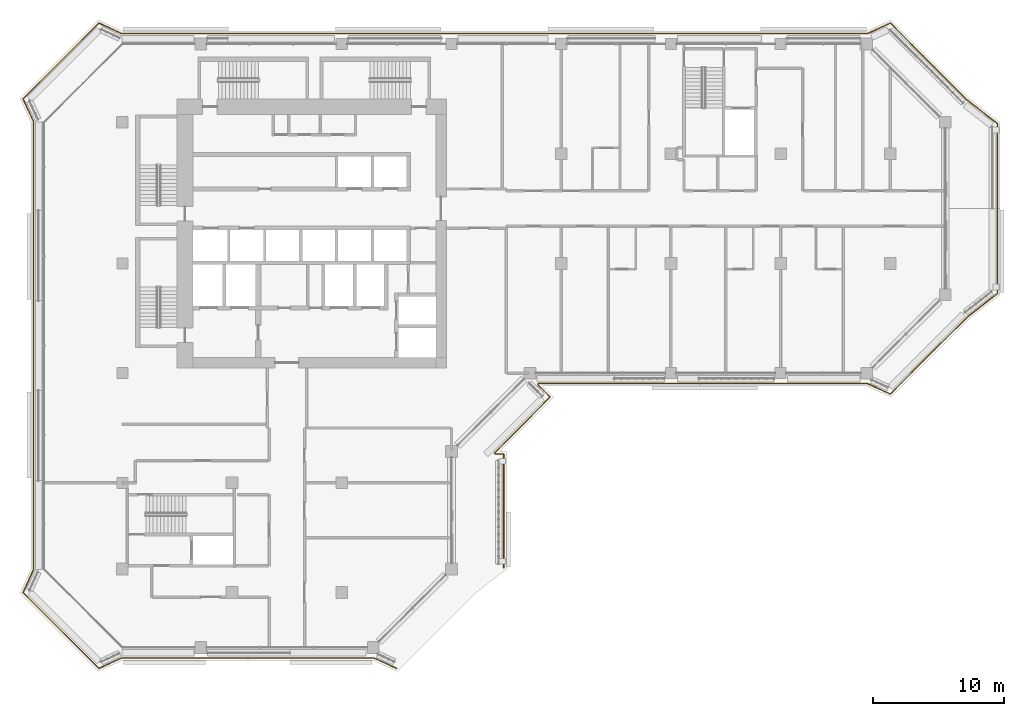
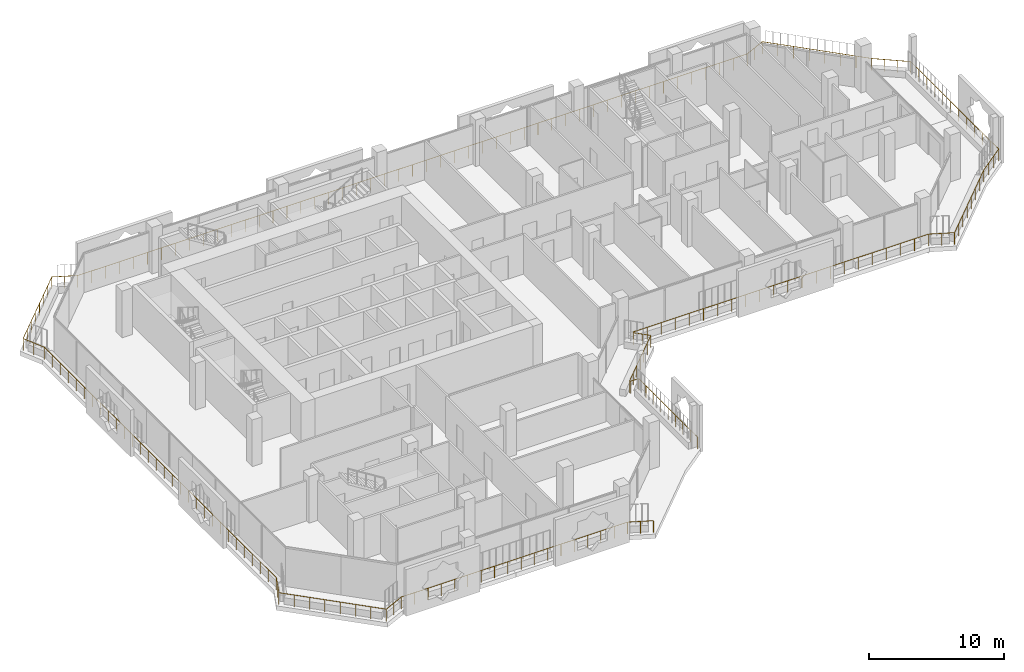
# One storey, part 17 of 21: 1 railing.
"""IFC4 building model written with IfcOpenShell, lengths in metres."""

from ifc_helpers import new_model, si_unit, direction, frame, origin, origin_2d, place, context, subcontext, project, spatial, circle, extrude, material, type_object, element, save


model = new_model("IFC4")

# Units and contexts
model_context = context("Model", 3, precision=1e-05, world=origin(), true_north=direction((0.0, 1.0)))
body_context = subcontext(model_context, "Body", "Model", "MODEL_VIEW")
ifc_project = project(units=[si_unit("LENGTHUNIT", "METRE"), si_unit("AREAUNIT", "SQUARE_METRE"), si_unit("VOLUMEUNIT", "CUBIC_METRE"), si_unit("PLANEANGLEUNIT", "RADIAN"), si_unit("MASSUNIT", "GRAM", prefix="KILO")], contexts=[model_context])

# Site, building, storey
site_placement = place(None, origin())
site = spatial("IfcSite", under=ifc_project, at=site_placement, CompositionType="ELEMENT")
building_placement = place(site_placement, origin())
building = spatial("IfcBuilding", under=site, at=building_placement, Name="Kawkab Arch Medical Tower", CompositionType="ELEMENT")
storey_placement = place(building_placement, frame((0.0, 0.0, 264.199951171875)))
storey = spatial("IfcBuildingStorey", under=building, at=storey_placement, Name="L61", CompositionType="ELEMENT", Elevation=264.199951171875)

# Railing
ifc_material = material(Name="Bronze anodised aluminium guard", Category="aluminium")
railing_type = type_object("IfcRailingType", Name="Loggia and terrace guard 1100", PredefinedType="GUARDRAIL", material=ifc_material)
railing_placement = place(storey_placement, frame((20.9951171875, -47.798095703125, 0.0)))
element("IfcRailing", 1, at=railing_placement, inside=storey, type_object=railing_type, Name="Guard L61.LOG-01.1.1", PredefinedType="GUARDRAIL", context=body_context, shape_type="SweptSolid", body=[
    extrude(circle(Radius=0.02392578125, at=origin_2d()), frame((0.0, 0.0, 1.076171875), z_axis=(-0.910044860056, 0.414509773934, 0.0), x_axis=(-0.414509773934, -0.910044860056, 0.0)), (0.0, 0.0, 1.0), 1.92529296875),
    extrude(circle(Radius=0.02392578125, at=origin_2d()), frame((-1.752197265625, 0.798095703125, 1.076171875), z_axis=(-1.0, 0.0, 0.0), x_axis=(0.0, -1.0, 0.0)), (0.0, 0.0, 1.0), 19.285888671875),
    extrude(circle(Radius=0.02392578125, at=origin_2d()), frame((-21.0380859375, 0.798095703125, 1.076171875), z_axis=(-0.910023069687, -0.414557610759, 0.0), x_axis=(0.414557610759, -0.910023069687, 0.0)), (0.0, 0.0, 1.0), 1.92529296875),
    extrude(circle(Radius=0.02392578125, at=origin_2d()), frame((-22.7900390625, 0.0, 1.076171875), z_axis=(-0.707106781187, 0.707106781187, 0.0), x_axis=(-0.707106781187, -0.707106781187, 0.0)), (0.0, 0.0, 1.0), 8.20654296875),
    extrude(circle(Radius=0.02392578125, at=origin_2d()), frame((-28.593017578125, 5.802978515625, 1.076171875), z_axis=(0.414404752076, 0.910092688388, 0.0), x_axis=(-0.910092688388, 0.414404752076, 0.0)), (0.0, 0.0, 1.0), 1.92529296875),
    extrude(circle(Radius=0.02392578125, at=origin_2d()), frame((-27.795166015625, 7.55517578125, 1.076171875), z_axis=(0.0, 1.0, 0.0), x_axis=(-1.0, 0.0, 0.0)), (0.0, 0.0, 1.0), 34.285888671875),
    extrude(circle(Radius=0.02392578125, at=origin_2d()), frame((-27.795166015625, 41.841064453125, 1.076171875), z_axis=(-0.414452581809, 0.910070907914, 0.0), x_axis=(-0.910070907914, -0.414452581809, 0.0)), (0.0, 0.0, 1.0), 1.925048828125),
    extrude(circle(Radius=0.02392578125, at=origin_2d()), frame((-28.593017578125, 43.593017578125, 1.076171875), z_axis=(0.707106781187, 0.707106781187, 0.0), x_axis=(-0.707106781187, 0.707106781187, 0.0)), (0.0, 0.0, 1.0), 8.20654296875),
    extrude(circle(Radius=0.02392578125, at=origin_2d()), frame((-22.7900390625, 49.39599609375, 1.076171875), z_axis=(0.910070907914, -0.414452581809, 0.0), x_axis=(0.414452581809, 0.910070907914, 0.0)), (0.0, 0.0, 1.0), 1.925048828125),
    extrude(circle(Radius=0.02392578125, at=origin_2d()), frame((-21.0380859375, 48.59814453125, 1.076171875), z_axis=(1.0, 0.0, 0.0), x_axis=(0.0, 1.0, 0.0)), (0.0, 0.0, 1.0), 57.0859375),
    extrude(circle(Radius=0.02392578125, at=origin_2d()), frame((36.0478515625, 48.59814453125, 1.076171875), z_axis=(0.910070907914, 0.414452581809, 0.0), x_axis=(-0.414452581809, 0.910070907914, 0.0)), (0.0, 0.0, 1.0), 1.925048828125),
    extrude(circle(Radius=0.02392578125, at=origin_2d()), frame((37.7998046875, 49.39599609375, 1.076171875), z_axis=(0.707121386154, -0.707092175918, 0.0), x_axis=(0.707092175918, 0.707121386154, 0.0)), (0.0, 0.0, 1.0), 8.358154296875),
    extrude(circle(Radius=0.02392578125, at=origin_2d()), frame((43.7099609375, 43.486083984375, 1.076171875), z_axis=(0.789193964876, -0.614144026922, 0.0), x_axis=(0.614144026922, 0.789193964876, 0.0)), (0.0, 0.0, 1.0), 2.907958984375),
    extrude(circle(Radius=0.02392578125, at=origin_2d()), frame((46.0048828125, 41.7001953125, 1.076171875), z_axis=(0.0, -1.0, 0.0), x_axis=(1.0, 0.0, 0.0)), (0.0, 0.0, 1.0), 13.004150390625),
    extrude(circle(Radius=0.02392578125, at=origin_2d()), frame((46.0048828125, 28.696044921875, 1.076171875), z_axis=(-0.789193964876, -0.614144026922, 0.0), x_axis=(0.614144026922, -0.789193964876, 0.0)), (0.0, 0.0, 1.0), 2.907958984375),
    extrude(circle(Radius=0.02392578125, at=origin_2d()), frame((43.7099609375, 26.91015625, 1.076171875), z_axis=(-0.707106781187, -0.707106781187, 0.0), x_axis=(0.707106781187, -0.707106781187, 0.0)), (0.0, 0.0, 1.0), 8.358154296875),
    extrude(circle(Radius=0.02392578125, at=origin_2d()), frame((37.7998046875, 21.0, 1.076171875), z_axis=(-0.910023069687, 0.414557610759, 0.0), x_axis=(-0.414557610759, -0.910023069687, 0.0)), (0.0, 0.0, 1.0), 1.92529296875),
    extrude(circle(Radius=0.02392578125, at=origin_2d()), frame((36.0478515625, 21.798095703125, 1.076171875), z_axis=(-1.0, 0.0, 0.0), x_axis=(0.0, -1.0, 0.0)), (0.0, 0.0, 1.0), 25.19287109375),
    extrude(circle(Radius=0.02392578125, at=origin_2d()), frame((10.85498046875, 21.798095703125, 1.076171875), z_axis=(-0.383763674343, -0.923431341387, 0.0), x_axis=(0.923431341387, -0.383763674343, 0.0)), (0.0, 0.0, 1.0), 0.101806640625),
    extrude(circle(Radius=0.02392578125, at=origin_2d()), frame((10.81591796875, 21.7041015625, 1.076171875), z_axis=(0.707015335112, -0.707198215437, 0.0), x_axis=(0.707198215437, 0.707015335112, 0.0)), (0.0, 0.0, 1.0), 1.3349609375),
    extrude(circle(Radius=0.02392578125, at=origin_2d()), frame((11.759765625, 20.760009765625, 1.076171875), z_axis=(-0.707025867263, -0.707187685852, 0.0), x_axis=(0.707187685852, -0.707025867263, 0.0)), (0.0, 0.0, 1.0), 6.034912109375),
    extrude(circle(Radius=0.02392578125, at=origin_2d()), frame((7.492919921875, 16.4921875, 1.076171875), z_axis=(0.383763674343, -0.923431341387, 0.0), x_axis=(0.923431341387, 0.383763674343, 0.0)), (0.0, 0.0, 1.0), 0.101806640625),
    extrude(circle(Radius=0.02392578125, at=origin_2d()), frame((7.531982421875, 16.398193359375, 1.076171875), z_axis=(1.0, 0.0, 0.0), x_axis=(0.0, 1.0, 0.0)), (0.0, 0.0, 1.0), 0.6728515625),
    extrude(circle(Radius=0.02392578125, at=origin_2d()), frame((8.204833984375, 16.398193359375, 1.076171875), z_axis=(0.0, -1.0, 0.0), x_axis=(1.0, 0.0, 0.0)), (0.0, 0.0, 1.0), 8.7021484375),
    extrude(circle(Radius=0.02099609375, at=origin_2d()), origin(), (0.0, 0.0, 1.0), 1.052001953125),
    extrude(circle(Radius=0.02099609375, at=origin_2d()), frame((-0.8759765625, 0.39892578125, 0.0)), (0.0, 0.0, 1.0), 1.052001953125),
    extrude(circle(Radius=0.02099609375, at=origin_2d()), frame((-1.752197265625, 0.798095703125, 0.0)), (0.0, 0.0, 1.0), 1.052001953125),
    extrude(circle(Radius=0.02099609375, at=origin_2d()), frame((-2.88671875, 0.798095703125, 0.0)), (0.0, 0.0, 1.0), 1.052001953125),
    extrude(circle(Radius=0.02099609375, at=origin_2d()), frame((-4.021240234375, 0.798095703125, 0.0)), (0.0, 0.0, 1.0), 1.052001953125),
    extrude(circle(Radius=0.02099609375, at=origin_2d()), frame((-5.155517578125, 0.798095703125, 0.0)), (0.0, 0.0, 1.0), 1.052001953125),
    extrude(circle(Radius=0.02099609375, at=origin_2d()), frame((-6.2900390625, 0.798095703125, 0.0)), (0.0, 0.0, 1.0), 1.052001953125),
    extrude(circle(Radius=0.02099609375, at=origin_2d()), frame((-7.424560546875, 0.798095703125, 0.0)), (0.0, 0.0, 1.0), 1.052001953125),
    extrude(circle(Radius=0.02099609375, at=origin_2d()), frame((-8.55908203125, 0.798095703125, 0.0)), (0.0, 0.0, 1.0), 1.052001953125),
    extrude(circle(Radius=0.02099609375, at=origin_2d()), frame((-9.693359375, 0.798095703125, 0.0)), (0.0, 0.0, 1.0), 1.052001953125),
    extrude(circle(Radius=0.02099609375, at=origin_2d()), frame((-10.827880859375, 0.798095703125, 0.0)), (0.0, 0.0, 1.0), 1.052001953125),
    extrude(circle(Radius=0.02099609375, at=origin_2d()), frame((-11.96240234375, 0.798095703125, 0.0)), (0.0, 0.0, 1.0), 1.052001953125),
    extrude(circle(Radius=0.02099609375, at=origin_2d()), frame((-13.096923828125, 0.798095703125, 0.0)), (0.0, 0.0, 1.0), 1.052001953125),
    extrude(circle(Radius=0.02099609375, at=origin_2d()), frame((-14.231201171875, 0.798095703125, 0.0)), (0.0, 0.0, 1.0), 1.052001953125),
    extrude(circle(Radius=0.02099609375, at=origin_2d()), frame((-15.36572265625, 0.798095703125, 0.0)), (0.0, 0.0, 1.0), 1.052001953125),
    extrude(circle(Radius=0.02099609375, at=origin_2d()), frame((-16.500244140625, 0.798095703125, 0.0)), (0.0, 0.0, 1.0), 1.052001953125),
    extrude(circle(Radius=0.02099609375, at=origin_2d()), frame((-17.634765625, 0.798095703125, 0.0)), (0.0, 0.0, 1.0), 1.052001953125),
    extrude(circle(Radius=0.02099609375, at=origin_2d()), frame((-18.76904296875, 0.798095703125, 0.0)), (0.0, 0.0, 1.0), 1.052001953125),
    extrude(circle(Radius=0.02099609375, at=origin_2d()), frame((-19.903564453125, 0.798095703125, 0.0)), (0.0, 0.0, 1.0), 1.052001953125),
    extrude(circle(Radius=0.02099609375, at=origin_2d()), frame((-21.0380859375, 0.798095703125, 0.0)), (0.0, 0.0, 1.0), 1.052001953125),
    extrude(circle(Radius=0.02099609375, at=origin_2d()), frame((-21.9140625, 0.39892578125, 0.0)), (0.0, 0.0, 1.0), 1.052001953125),
    extrude(circle(Radius=0.02099609375, at=origin_2d()), frame((-22.7900390625, 0.0, 0.0)), (0.0, 0.0, 1.0), 1.052001953125),
    extrude(circle(Radius=0.02099609375, at=origin_2d()), frame((-23.619140625, 0.8291015625, 0.0)), (0.0, 0.0, 1.0), 1.052001953125),
    extrude(circle(Radius=0.02099609375, at=origin_2d()), frame((-24.447998046875, 1.657958984375, 0.0)), (0.0, 0.0, 1.0), 1.052001953125),
    extrude(circle(Radius=0.02099609375, at=origin_2d()), frame((-25.277099609375, 2.487060546875, 0.0)), (0.0, 0.0, 1.0), 1.052001953125),
    extrude(circle(Radius=0.02099609375, at=origin_2d()), frame((-26.10595703125, 3.31591796875, 0.0)), (0.0, 0.0, 1.0), 1.052001953125),
    extrude(circle(Radius=0.02099609375, at=origin_2d()), frame((-26.93505859375, 4.14501953125, 0.0)), (0.0, 0.0, 1.0), 1.052001953125),
    extrude(circle(Radius=0.02099609375, at=origin_2d()), frame((-27.763916015625, 4.973876953125, 0.0)), (0.0, 0.0, 1.0), 1.052001953125),
    extrude(circle(Radius=0.02099609375, at=origin_2d()), frame((-28.593017578125, 5.802978515625, 0.0)), (0.0, 0.0, 1.0), 1.052001953125),
    extrude(circle(Radius=0.02099609375, at=origin_2d()), frame((-28.194091796875, 6.67919921875, 0.0)), (0.0, 0.0, 1.0), 1.052001953125),
    extrude(circle(Radius=0.02099609375, at=origin_2d()), frame((-27.795166015625, 7.55517578125, 0.0)), (0.0, 0.0, 1.0), 1.052001953125),
    extrude(circle(Radius=0.02099609375, at=origin_2d()), frame((-27.795166015625, 8.737548828125, 0.0)), (0.0, 0.0, 1.0), 1.052001953125),
    extrude(circle(Radius=0.02099609375, at=origin_2d()), frame((-27.795166015625, 9.919677734375, 0.0)), (0.0, 0.0, 1.0), 1.052001953125),
    extrude(circle(Radius=0.02099609375, at=origin_2d()), frame((-27.795166015625, 11.10205078125, 0.0)), (0.0, 0.0, 1.0), 1.052001953125),
    extrude(circle(Radius=0.02099609375, at=origin_2d()), frame((-27.795166015625, 12.2841796875, 0.0)), (0.0, 0.0, 1.0), 1.052001953125),
    extrude(circle(Radius=0.02099609375, at=origin_2d()), frame((-27.795166015625, 13.466552734375, 0.0)), (0.0, 0.0, 1.0), 1.052001953125),
    extrude(circle(Radius=0.02099609375, at=origin_2d()), frame((-27.795166015625, 14.64892578125, 0.0)), (0.0, 0.0, 1.0), 1.052001953125),
    extrude(circle(Radius=0.02099609375, at=origin_2d()), frame((-27.795166015625, 15.8310546875, 0.0)), (0.0, 0.0, 1.0), 1.052001953125),
    extrude(circle(Radius=0.02099609375, at=origin_2d()), frame((-27.795166015625, 17.013427734375, 0.0)), (0.0, 0.0, 1.0), 1.052001953125),
    extrude(circle(Radius=0.02099609375, at=origin_2d()), frame((-27.795166015625, 18.195556640625, 0.0)), (0.0, 0.0, 1.0), 1.052001953125),
    extrude(circle(Radius=0.02099609375, at=origin_2d()), frame((-27.795166015625, 19.3779296875, 0.0)), (0.0, 0.0, 1.0), 1.052001953125),
    extrude(circle(Radius=0.02099609375, at=origin_2d()), frame((-27.795166015625, 20.56005859375, 0.0)), (0.0, 0.0, 1.0), 1.052001953125),
    extrude(circle(Radius=0.02099609375, at=origin_2d()), frame((-27.795166015625, 21.742431640625, 0.0)), (0.0, 0.0, 1.0), 1.052001953125),
    extrude(circle(Radius=0.02099609375, at=origin_2d()), frame((-27.795166015625, 22.9248046875, 0.0)), (0.0, 0.0, 1.0), 1.052001953125),
    extrude(circle(Radius=0.02099609375, at=origin_2d()), frame((-27.795166015625, 24.10693359375, 0.0)), (0.0, 0.0, 1.0), 1.052001953125),
    extrude(circle(Radius=0.02099609375, at=origin_2d()), frame((-27.795166015625, 25.289306640625, 0.0)), (0.0, 0.0, 1.0), 1.052001953125),
    extrude(circle(Radius=0.02099609375, at=origin_2d()), frame((-27.795166015625, 26.471435546875, 0.0)), (0.0, 0.0, 1.0), 1.052001953125),
    extrude(circle(Radius=0.02099609375, at=origin_2d()), frame((-27.795166015625, 27.65380859375, 0.0)), (0.0, 0.0, 1.0), 1.052001953125),
    extrude(circle(Radius=0.02099609375, at=origin_2d()), frame((-27.795166015625, 28.836181640625, 0.0)), (0.0, 0.0, 1.0), 1.052001953125),
    extrude(circle(Radius=0.02099609375, at=origin_2d()), frame((-27.795166015625, 30.018310546875, 0.0)), (0.0, 0.0, 1.0), 1.052001953125),
    extrude(circle(Radius=0.02099609375, at=origin_2d()), frame((-27.795166015625, 31.20068359375, 0.0)), (0.0, 0.0, 1.0), 1.052001953125),
    extrude(circle(Radius=0.02099609375, at=origin_2d()), frame((-27.795166015625, 32.3828125, 0.0)), (0.0, 0.0, 1.0), 1.052001953125),
    extrude(circle(Radius=0.02099609375, at=origin_2d()), frame((-27.795166015625, 33.565185546875, 0.0)), (0.0, 0.0, 1.0), 1.052001953125),
    extrude(circle(Radius=0.02099609375, at=origin_2d()), frame((-27.795166015625, 34.747314453125, 0.0)), (0.0, 0.0, 1.0), 1.052001953125),
    extrude(circle(Radius=0.02099609375, at=origin_2d()), frame((-27.795166015625, 35.9296875, 0.0)), (0.0, 0.0, 1.0), 1.052001953125),
    extrude(circle(Radius=0.02099609375, at=origin_2d()), frame((-27.795166015625, 37.112060546875, 0.0)), (0.0, 0.0, 1.0), 1.052001953125),
    extrude(circle(Radius=0.02099609375, at=origin_2d()), frame((-27.795166015625, 38.294189453125, 0.0)), (0.0, 0.0, 1.0), 1.052001953125),
    extrude(circle(Radius=0.02099609375, at=origin_2d()), frame((-27.795166015625, 39.4765625, 0.0)), (0.0, 0.0, 1.0), 1.052001953125),
    extrude(circle(Radius=0.02099609375, at=origin_2d()), frame((-27.795166015625, 40.65869140625, 0.0)), (0.0, 0.0, 1.0), 1.052001953125),
    extrude(circle(Radius=0.02099609375, at=origin_2d()), frame((-27.795166015625, 41.841064453125, 0.0)), (0.0, 0.0, 1.0), 1.052001953125),
    extrude(circle(Radius=0.02099609375, at=origin_2d()), frame((-28.194091796875, 42.717041015625, 0.0)), (0.0, 0.0, 1.0), 1.052001953125),
    extrude(circle(Radius=0.02099609375, at=origin_2d()), frame((-28.593017578125, 43.593017578125, 0.0)), (0.0, 0.0, 1.0), 1.052001953125),
    extrude(circle(Radius=0.02099609375, at=origin_2d()), frame((-27.763916015625, 44.422119140625, 0.0)), (0.0, 0.0, 1.0), 1.052001953125),
    extrude(circle(Radius=0.02099609375, at=origin_2d()), frame((-26.93505859375, 45.2509765625, 0.0)), (0.0, 0.0, 1.0), 1.052001953125),
    extrude(circle(Radius=0.02099609375, at=origin_2d()), frame((-26.10595703125, 46.080078125, 0.0)), (0.0, 0.0, 1.0), 1.052001953125),
    extrude(circle(Radius=0.02099609375, at=origin_2d()), frame((-25.277099609375, 46.908935546875, 0.0)), (0.0, 0.0, 1.0), 1.052001953125),
    extrude(circle(Radius=0.02099609375, at=origin_2d()), frame((-24.447998046875, 47.738037109375, 0.0)), (0.0, 0.0, 1.0), 1.052001953125),
    extrude(circle(Radius=0.02099609375, at=origin_2d()), frame((-23.619140625, 48.56689453125, 0.0)), (0.0, 0.0, 1.0), 1.052001953125),
    extrude(circle(Radius=0.02099609375, at=origin_2d()), frame((-22.7900390625, 49.39599609375, 0.0)), (0.0, 0.0, 1.0), 1.052001953125),
    extrude(circle(Radius=0.02099609375, at=origin_2d()), frame((-21.9140625, 48.9970703125, 0.0)), (0.0, 0.0, 1.0), 1.052001953125),
    extrude(circle(Radius=0.02099609375, at=origin_2d()), frame((-21.0380859375, 48.59814453125, 0.0)), (0.0, 0.0, 1.0), 1.052001953125),
    extrude(circle(Radius=0.02099609375, at=origin_2d()), frame((-19.848876953125, 48.59814453125, 0.0)), (0.0, 0.0, 1.0), 1.052001953125),
    extrude(circle(Radius=0.02099609375, at=origin_2d()), frame((-18.659423828125, 48.59814453125, 0.0)), (0.0, 0.0, 1.0), 1.052001953125),
    extrude(circle(Radius=0.02099609375, at=origin_2d()), frame((-17.47021484375, 48.59814453125, 0.0)), (0.0, 0.0, 1.0), 1.052001953125),
    extrude(circle(Radius=0.02099609375, at=origin_2d()), frame((-16.281005859375, 48.59814453125, 0.0)), (0.0, 0.0, 1.0), 1.052001953125),
    extrude(circle(Radius=0.02099609375, at=origin_2d()), frame((-15.091552734375, 48.59814453125, 0.0)), (0.0, 0.0, 1.0), 1.052001953125),
    extrude(circle(Radius=0.02099609375, at=origin_2d()), frame((-13.90234375, 48.59814453125, 0.0)), (0.0, 0.0, 1.0), 1.052001953125),
    extrude(circle(Radius=0.02099609375, at=origin_2d()), frame((-12.713134765625, 48.59814453125, 0.0)), (0.0, 0.0, 1.0), 1.052001953125),
    extrude(circle(Radius=0.02099609375, at=origin_2d()), frame((-11.523681640625, 48.59814453125, 0.0)), (0.0, 0.0, 1.0), 1.052001953125),
    extrude(circle(Radius=0.02099609375, at=origin_2d()), frame((-10.33447265625, 48.59814453125, 0.0)), (0.0, 0.0, 1.0), 1.052001953125),
    extrude(circle(Radius=0.02099609375, at=origin_2d()), frame((-9.145263671875, 48.59814453125, 0.0)), (0.0, 0.0, 1.0), 1.052001953125),
    extrude(circle(Radius=0.02099609375, at=origin_2d()), frame((-7.955810546875, 48.59814453125, 0.0)), (0.0, 0.0, 1.0), 1.052001953125),
    extrude(circle(Radius=0.02099609375, at=origin_2d()), frame((-6.7666015625, 48.59814453125, 0.0)), (0.0, 0.0, 1.0), 1.052001953125),
    extrude(circle(Radius=0.02099609375, at=origin_2d()), frame((-5.577392578125, 48.59814453125, 0.0)), (0.0, 0.0, 1.0), 1.052001953125),
    extrude(circle(Radius=0.02099609375, at=origin_2d()), frame((-4.387939453125, 48.59814453125, 0.0)), (0.0, 0.0, 1.0), 1.052001953125),
    extrude(circle(Radius=0.02099609375, at=origin_2d()), frame((-3.19873046875, 48.59814453125, 0.0)), (0.0, 0.0, 1.0), 1.052001953125),
    extrude(circle(Radius=0.02099609375, at=origin_2d()), frame((-2.009521484375, 48.59814453125, 0.0)), (0.0, 0.0, 1.0), 1.052001953125),
    extrude(circle(Radius=0.02099609375, at=origin_2d()), frame((-0.820068359375, 48.59814453125, 0.0)), (0.0, 0.0, 1.0), 1.052001953125),
    extrude(circle(Radius=0.02099609375, at=origin_2d()), frame((0.369140625, 48.59814453125, 0.0)), (0.0, 0.0, 1.0), 1.052001953125),
    extrude(circle(Radius=0.02099609375, at=origin_2d()), frame((1.558349609375, 48.59814453125, 0.0)), (0.0, 0.0, 1.0), 1.052001953125),
    extrude(circle(Radius=0.02099609375, at=origin_2d()), frame((2.747802734375, 48.59814453125, 0.0)), (0.0, 0.0, 1.0), 1.052001953125),
    extrude(circle(Radius=0.02099609375, at=origin_2d()), frame((3.93701171875, 48.59814453125, 0.0)), (0.0, 0.0, 1.0), 1.052001953125),
    extrude(circle(Radius=0.02099609375, at=origin_2d()), frame((5.126220703125, 48.59814453125, 0.0)), (0.0, 0.0, 1.0), 1.052001953125),
    extrude(circle(Radius=0.02099609375, at=origin_2d()), frame((6.315673828125, 48.59814453125, 0.0)), (0.0, 0.0, 1.0), 1.052001953125),
    extrude(circle(Radius=0.02099609375, at=origin_2d()), frame((7.5048828125, 48.59814453125, 0.0)), (0.0, 0.0, 1.0), 1.052001953125),
    extrude(circle(Radius=0.02099609375, at=origin_2d()), frame((8.694091796875, 48.59814453125, 0.0)), (0.0, 0.0, 1.0), 1.052001953125),
    extrude(circle(Radius=0.02099609375, at=origin_2d()), frame((9.883544921875, 48.59814453125, 0.0)), (0.0, 0.0, 1.0), 1.052001953125),
    extrude(circle(Radius=0.02099609375, at=origin_2d()), frame((11.07275390625, 48.59814453125, 0.0)), (0.0, 0.0, 1.0), 1.052001953125),
    extrude(circle(Radius=0.02099609375, at=origin_2d()), frame((12.261962890625, 48.59814453125, 0.0)), (0.0, 0.0, 1.0), 1.052001953125),
    extrude(circle(Radius=0.02099609375, at=origin_2d()), frame((13.451416015625, 48.59814453125, 0.0)), (0.0, 0.0, 1.0), 1.052001953125),
    extrude(circle(Radius=0.02099609375, at=origin_2d()), frame((14.640625, 48.59814453125, 0.0)), (0.0, 0.0, 1.0), 1.052001953125),
    extrude(circle(Radius=0.02099609375, at=origin_2d()), frame((15.829833984375, 48.59814453125, 0.0)), (0.0, 0.0, 1.0), 1.052001953125),
    extrude(circle(Radius=0.02099609375, at=origin_2d()), frame((17.019287109375, 48.59814453125, 0.0)), (0.0, 0.0, 1.0), 1.052001953125),
    extrude(circle(Radius=0.02099609375, at=origin_2d()), frame((18.20849609375, 48.59814453125, 0.0)), (0.0, 0.0, 1.0), 1.052001953125),
    extrude(circle(Radius=0.02099609375, at=origin_2d()), frame((19.397705078125, 48.59814453125, 0.0)), (0.0, 0.0, 1.0), 1.052001953125),
    extrude(circle(Radius=0.02099609375, at=origin_2d()), frame((20.587158203125, 48.59814453125, 0.0)), (0.0, 0.0, 1.0), 1.052001953125),
    extrude(circle(Radius=0.02099609375, at=origin_2d()), frame((21.7763671875, 48.59814453125, 0.0)), (0.0, 0.0, 1.0), 1.052001953125),
    extrude(circle(Radius=0.02099609375, at=origin_2d()), frame((22.965576171875, 48.59814453125, 0.0)), (0.0, 0.0, 1.0), 1.052001953125),
    extrude(circle(Radius=0.02099609375, at=origin_2d()), frame((24.155029296875, 48.59814453125, 0.0)), (0.0, 0.0, 1.0), 1.052001953125),
    extrude(circle(Radius=0.02099609375, at=origin_2d()), frame((25.34423828125, 48.59814453125, 0.0)), (0.0, 0.0, 1.0), 1.052001953125),
    extrude(circle(Radius=0.02099609375, at=origin_2d()), frame((26.533447265625, 48.59814453125, 0.0)), (0.0, 0.0, 1.0), 1.052001953125),
    extrude(circle(Radius=0.02099609375, at=origin_2d()), frame((27.722900390625, 48.59814453125, 0.0)), (0.0, 0.0, 1.0), 1.052001953125),
    extrude(circle(Radius=0.02099609375, at=origin_2d()), frame((28.912109375, 48.59814453125, 0.0)), (0.0, 0.0, 1.0), 1.052001953125),
    extrude(circle(Radius=0.02099609375, at=origin_2d()), frame((30.101318359375, 48.59814453125, 0.0)), (0.0, 0.0, 1.0), 1.052001953125),
    extrude(circle(Radius=0.02099609375, at=origin_2d()), frame((31.290771484375, 48.59814453125, 0.0)), (0.0, 0.0, 1.0), 1.052001953125),
    extrude(circle(Radius=0.02099609375, at=origin_2d()), frame((32.47998046875, 48.59814453125, 0.0)), (0.0, 0.0, 1.0), 1.052001953125),
    extrude(circle(Radius=0.02099609375, at=origin_2d()), frame((33.669189453125, 48.59814453125, 0.0)), (0.0, 0.0, 1.0), 1.052001953125),
    extrude(circle(Radius=0.02099609375, at=origin_2d()), frame((34.858642578125, 48.59814453125, 0.0)), (0.0, 0.0, 1.0), 1.052001953125),
    extrude(circle(Radius=0.02099609375, at=origin_2d()), frame((36.0478515625, 48.59814453125, 0.0)), (0.0, 0.0, 1.0), 1.052001953125),
    extrude(circle(Radius=0.02099609375, at=origin_2d()), frame((36.923828125, 48.9970703125, 0.0)), (0.0, 0.0, 1.0), 1.052001953125),
    extrude(circle(Radius=0.02099609375, at=origin_2d()), frame((37.7998046875, 49.39599609375, 0.0)), (0.0, 0.0, 1.0), 1.052001953125),
    extrude(circle(Radius=0.02099609375, at=origin_2d()), frame((38.64404296875, 48.5517578125, 0.0)), (0.0, 0.0, 1.0), 1.052001953125),
    extrude(circle(Radius=0.02099609375, at=origin_2d()), frame((39.488525390625, 47.70751953125, 0.0)), (0.0, 0.0, 1.0), 1.052001953125),
    extrude(circle(Radius=0.02099609375, at=origin_2d()), frame((40.332763671875, 46.86328125, 0.0)), (0.0, 0.0, 1.0), 1.052001953125),
    extrude(circle(Radius=0.02099609375, at=origin_2d()), frame((41.177001953125, 46.018798828125, 0.0)), (0.0, 0.0, 1.0), 1.052001953125),
    extrude(circle(Radius=0.02099609375, at=origin_2d()), frame((42.021240234375, 45.174560546875, 0.0)), (0.0, 0.0, 1.0), 1.052001953125),
    extrude(circle(Radius=0.02099609375, at=origin_2d()), frame((42.86572265625, 44.330322265625, 0.0)), (0.0, 0.0, 1.0), 1.052001953125),
    extrude(circle(Radius=0.02099609375, at=origin_2d()), frame((43.7099609375, 43.486083984375, 0.0)), (0.0, 0.0, 1.0), 1.052001953125),
    extrude(circle(Radius=0.02099609375, at=origin_2d()), frame((44.474853515625, 42.890869140625, 0.0)), (0.0, 0.0, 1.0), 1.052001953125),
    extrude(circle(Radius=0.02099609375, at=origin_2d()), frame((45.239990234375, 42.29541015625, 0.0)), (0.0, 0.0, 1.0), 1.052001953125),
    extrude(circle(Radius=0.02099609375, at=origin_2d()), frame((46.0048828125, 41.7001953125, 0.0)), (0.0, 0.0, 1.0), 1.052001953125),
    extrude(circle(Radius=0.02099609375, at=origin_2d()), frame((46.0048828125, 40.51806640625, 0.0)), (0.0, 0.0, 1.0), 1.052001953125),
    extrude(circle(Radius=0.02099609375, at=origin_2d()), frame((46.0048828125, 39.335693359375, 0.0)), (0.0, 0.0, 1.0), 1.052001953125),
    extrude(circle(Radius=0.02099609375, at=origin_2d()), frame((46.0048828125, 38.153564453125, 0.0)), (0.0, 0.0, 1.0), 1.052001953125),
    extrude(circle(Radius=0.02099609375, at=origin_2d()), frame((46.0048828125, 36.971435546875, 0.0)), (0.0, 0.0, 1.0), 1.052001953125),
    extrude(circle(Radius=0.02099609375, at=origin_2d()), frame((46.0048828125, 35.789306640625, 0.0)), (0.0, 0.0, 1.0), 1.052001953125),
    extrude(circle(Radius=0.02099609375, at=origin_2d()), frame((46.0048828125, 34.60693359375, 0.0)), (0.0, 0.0, 1.0), 1.052001953125),
    extrude(circle(Radius=0.02099609375, at=origin_2d()), frame((46.0048828125, 33.4248046875, 0.0)), (0.0, 0.0, 1.0), 1.052001953125),
    extrude(circle(Radius=0.02099609375, at=origin_2d()), frame((46.0048828125, 32.24267578125, 0.0)), (0.0, 0.0, 1.0), 1.052001953125),
    extrude(circle(Radius=0.02099609375, at=origin_2d()), frame((46.0048828125, 31.060546875, 0.0)), (0.0, 0.0, 1.0), 1.052001953125),
    extrude(circle(Radius=0.02099609375, at=origin_2d()), frame((46.0048828125, 29.878173828125, 0.0)), (0.0, 0.0, 1.0), 1.052001953125),
    extrude(circle(Radius=0.02099609375, at=origin_2d()), frame((46.0048828125, 28.696044921875, 0.0)), (0.0, 0.0, 1.0), 1.052001953125),
    extrude(circle(Radius=0.02099609375, at=origin_2d()), frame((45.239990234375, 28.100830078125, 0.0)), (0.0, 0.0, 1.0), 1.052001953125),
    extrude(circle(Radius=0.02099609375, at=origin_2d()), frame((44.474853515625, 27.50537109375, 0.0)), (0.0, 0.0, 1.0), 1.052001953125),
    extrude(circle(Radius=0.02099609375, at=origin_2d()), frame((43.7099609375, 26.91015625, 0.0)), (0.0, 0.0, 1.0), 1.052001953125),
    extrude(circle(Radius=0.02099609375, at=origin_2d()), frame((42.86572265625, 26.06591796875, 0.0)), (0.0, 0.0, 1.0), 1.052001953125),
    extrude(circle(Radius=0.02099609375, at=origin_2d()), frame((42.021240234375, 25.221435546875, 0.0)), (0.0, 0.0, 1.0), 1.052001953125),
    extrude(circle(Radius=0.02099609375, at=origin_2d()), frame((41.177001953125, 24.377197265625, 0.0)), (0.0, 0.0, 1.0), 1.052001953125),
    extrude(circle(Radius=0.02099609375, at=origin_2d()), frame((40.332763671875, 23.532958984375, 0.0)), (0.0, 0.0, 1.0), 1.052001953125),
    extrude(circle(Radius=0.02099609375, at=origin_2d()), frame((39.488525390625, 22.688720703125, 0.0)), (0.0, 0.0, 1.0), 1.052001953125),
    extrude(circle(Radius=0.02099609375, at=origin_2d()), frame((38.64404296875, 21.84423828125, 0.0)), (0.0, 0.0, 1.0), 1.052001953125),
    extrude(circle(Radius=0.02099609375, at=origin_2d()), frame((37.7998046875, 21.0, 0.0)), (0.0, 0.0, 1.0), 1.052001953125),
    extrude(circle(Radius=0.02099609375, at=origin_2d()), frame((36.923828125, 21.39892578125, 0.0)), (0.0, 0.0, 1.0), 1.052001953125),
    extrude(circle(Radius=0.02099609375, at=origin_2d()), frame((36.0478515625, 21.798095703125, 0.0)), (0.0, 0.0, 1.0), 1.052001953125),
    extrude(circle(Radius=0.02099609375, at=origin_2d()), frame((34.84814453125, 21.798095703125, 0.0)), (0.0, 0.0, 1.0), 1.052001953125),
    extrude(circle(Radius=0.02099609375, at=origin_2d()), frame((33.6484375, 21.798095703125, 0.0)), (0.0, 0.0, 1.0), 1.052001953125),
    extrude(circle(Radius=0.02099609375, at=origin_2d()), frame((32.448974609375, 21.798095703125, 0.0)), (0.0, 0.0, 1.0), 1.052001953125),
    extrude(circle(Radius=0.02099609375, at=origin_2d()), frame((31.249267578125, 21.798095703125, 0.0)), (0.0, 0.0, 1.0), 1.052001953125),
    extrude(circle(Radius=0.02099609375, at=origin_2d()), frame((30.049560546875, 21.798095703125, 0.0)), (0.0, 0.0, 1.0), 1.052001953125),
    extrude(circle(Radius=0.02099609375, at=origin_2d()), frame((28.849853515625, 21.798095703125, 0.0)), (0.0, 0.0, 1.0), 1.052001953125),
    extrude(circle(Radius=0.02099609375, at=origin_2d()), frame((27.650146484375, 21.798095703125, 0.0)), (0.0, 0.0, 1.0), 1.052001953125),
    extrude(circle(Radius=0.02099609375, at=origin_2d()), frame((26.45068359375, 21.798095703125, 0.0)), (0.0, 0.0, 1.0), 1.052001953125),
    extrude(circle(Radius=0.02099609375, at=origin_2d()), frame((25.2509765625, 21.798095703125, 0.0)), (0.0, 0.0, 1.0), 1.052001953125),
    extrude(circle(Radius=0.02099609375, at=origin_2d()), frame((24.05126953125, 21.798095703125, 0.0)), (0.0, 0.0, 1.0), 1.052001953125),
    extrude(circle(Radius=0.02099609375, at=origin_2d()), frame((22.8515625, 21.798095703125, 0.0)), (0.0, 0.0, 1.0), 1.052001953125),
    extrude(circle(Radius=0.02099609375, at=origin_2d()), frame((21.65185546875, 21.798095703125, 0.0)), (0.0, 0.0, 1.0), 1.052001953125),
    extrude(circle(Radius=0.02099609375, at=origin_2d()), frame((20.4521484375, 21.798095703125, 0.0)), (0.0, 0.0, 1.0), 1.052001953125),
    extrude(circle(Radius=0.02099609375, at=origin_2d()), frame((19.252685546875, 21.798095703125, 0.0)), (0.0, 0.0, 1.0), 1.052001953125),
    extrude(circle(Radius=0.02099609375, at=origin_2d()), frame((18.052978515625, 21.798095703125, 0.0)), (0.0, 0.0, 1.0), 1.052001953125),
    extrude(circle(Radius=0.02099609375, at=origin_2d()), frame((16.853271484375, 21.798095703125, 0.0)), (0.0, 0.0, 1.0), 1.052001953125),
    extrude(circle(Radius=0.02099609375, at=origin_2d()), frame((15.653564453125, 21.798095703125, 0.0)), (0.0, 0.0, 1.0), 1.052001953125),
    extrude(circle(Radius=0.02099609375, at=origin_2d()), frame((14.453857421875, 21.798095703125, 0.0)), (0.0, 0.0, 1.0), 1.052001953125),
    extrude(circle(Radius=0.02099609375, at=origin_2d()), frame((13.25439453125, 21.798095703125, 0.0)), (0.0, 0.0, 1.0), 1.052001953125),
    extrude(circle(Radius=0.02099609375, at=origin_2d()), frame((12.0546875, 21.798095703125, 0.0)), (0.0, 0.0, 1.0), 1.052001953125),
    extrude(circle(Radius=0.02099609375, at=origin_2d()), frame((10.85498046875, 21.798095703125, 0.0)), (0.0, 0.0, 1.0), 1.052001953125),
    extrude(circle(Radius=0.02099609375, at=origin_2d()), frame((10.81591796875, 21.7041015625, 0.0)), (0.0, 0.0, 1.0), 1.052001953125),
    extrude(circle(Radius=0.02099609375, at=origin_2d()), frame((11.287841796875, 21.23193359375, 0.0)), (0.0, 0.0, 1.0), 1.052001953125),
    extrude(circle(Radius=0.02099609375, at=origin_2d()), frame((11.759765625, 20.760009765625, 0.0)), (0.0, 0.0, 1.0), 1.052001953125),
    extrude(circle(Radius=0.02099609375, at=origin_2d()), frame((11.048583984375, 20.048828125, 0.0)), (0.0, 0.0, 1.0), 1.052001953125),
    extrude(circle(Radius=0.02099609375, at=origin_2d()), frame((10.33740234375, 19.33740234375, 0.0)), (0.0, 0.0, 1.0), 1.052001953125),
    extrude(circle(Radius=0.02099609375, at=origin_2d()), frame((9.62646484375, 18.6259765625, 0.0)), (0.0, 0.0, 1.0), 1.052001953125),
    extrude(circle(Radius=0.02099609375, at=origin_2d()), frame((8.915283203125, 17.914794921875, 0.0)), (0.0, 0.0, 1.0), 1.052001953125),
    extrude(circle(Radius=0.02099609375, at=origin_2d()), frame((8.2041015625, 17.20361328125, 0.0)), (0.0, 0.0, 1.0), 1.052001953125),
    extrude(circle(Radius=0.02099609375, at=origin_2d()), frame((7.492919921875, 16.4921875, 0.0)), (0.0, 0.0, 1.0), 1.052001953125),
    extrude(circle(Radius=0.02099609375, at=origin_2d()), frame((7.531982421875, 16.398193359375, 0.0)), (0.0, 0.0, 1.0), 1.052001953125),
    extrude(circle(Radius=0.02099609375, at=origin_2d()), frame((8.204833984375, 16.398193359375, 0.0)), (0.0, 0.0, 1.0), 1.052001953125),
    extrude(circle(Radius=0.02099609375, at=origin_2d()), frame((8.204833984375, 15.310546875, 0.0)), (0.0, 0.0, 1.0), 1.052001953125),
    extrude(circle(Radius=0.02099609375, at=origin_2d()), frame((8.204833984375, 14.22265625, 0.0)), (0.0, 0.0, 1.0), 1.052001953125),
    extrude(circle(Radius=0.02099609375, at=origin_2d()), frame((8.204833984375, 13.134765625, 0.0)), (0.0, 0.0, 1.0), 1.052001953125),
    extrude(circle(Radius=0.02099609375, at=origin_2d()), frame((8.204833984375, 12.047119140625, 0.0)), (0.0, 0.0, 1.0), 1.052001953125),
    extrude(circle(Radius=0.02099609375, at=origin_2d()), frame((8.204833984375, 10.95947265625, 0.0)), (0.0, 0.0, 1.0), 1.052001953125),
    extrude(circle(Radius=0.02099609375, at=origin_2d()), frame((8.204833984375, 9.87158203125, 0.0)), (0.0, 0.0, 1.0), 1.052001953125),
    extrude(circle(Radius=0.02099609375, at=origin_2d()), frame((8.204833984375, 8.78369140625, 0.0)), (0.0, 0.0, 1.0), 1.052001953125),
    extrude(circle(Radius=0.02099609375, at=origin_2d()), frame((8.204833984375, 7.696044921875, 0.0)), (0.0, 0.0, 1.0), 1.052001953125),
])

save(model, "model.ifc")
